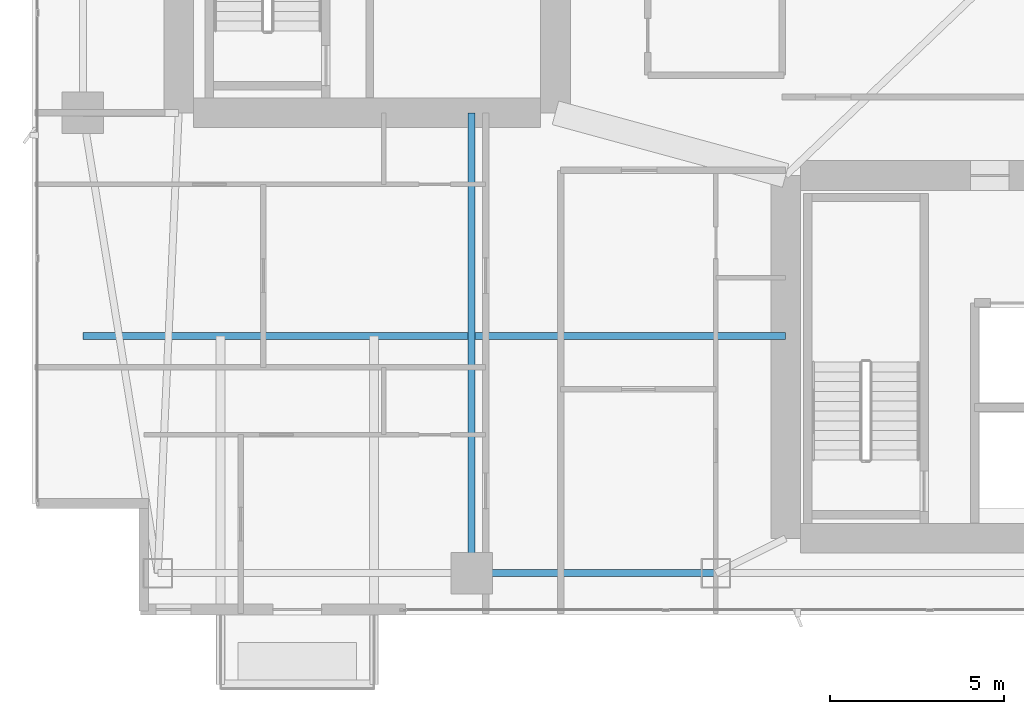
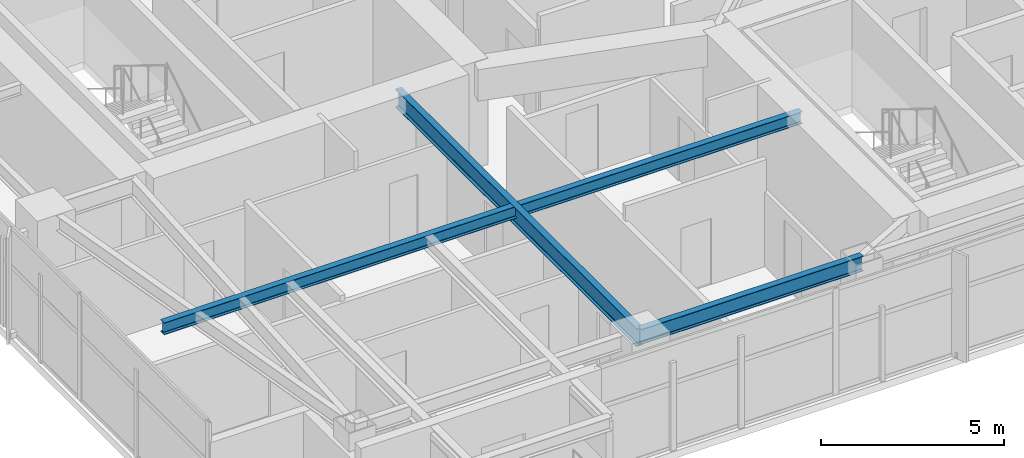
# One storey, part 5 of 28: 3 beams.
"""IFC4 building model written with IfcOpenShell, lengths in metres."""

from ifc_helpers import new_model, si_unit, direction, frame, origin, origin_2d, place, context, subcontext, project, spatial, i_section, extrude, material, material_profile, profile_set, type_object, element, save


model = new_model("IFC4")

# Units and contexts
model_context = context("Model", 3, precision=1e-05, world=origin(), true_north=direction((0.0, 1.0)))
body_context = subcontext(model_context, "Body", "Model", "MODEL_VIEW")
ifc_project = project(units=[si_unit("LENGTHUNIT", "METRE"), si_unit("AREAUNIT", "SQUARE_METRE"), si_unit("VOLUMEUNIT", "CUBIC_METRE"), si_unit("PLANEANGLEUNIT", "RADIAN"), si_unit("MASSUNIT", "GRAM", prefix="KILO")], contexts=[model_context])

# Site, building, storey
site_placement = place(None, origin())
site = spatial("IfcSite", under=ifc_project, at=site_placement, CompositionType="ELEMENT")
building_placement = place(site_placement, origin())
building = spatial("IfcBuilding", under=site, at=building_placement, Name="Calvorn Quay Hotel", CompositionType="ELEMENT")
storey_placement = place(building_placement, frame((0.0, 0.0, 159.89990234375)))
storey = spatial("IfcBuildingStorey", under=building, at=storey_placement, Name="L39", CompositionType="ELEMENT", Elevation=159.89990234375)

# Beams
ifc_material_1 = material(Name="Steel Q355B", Category="steel")
ifc_material_profile_1 = material_profile(ifc_material_1, i_section(OverallWidth=0.199951171875, OverallDepth=0.60009765625, WebThickness=0.010986328125, FlangeThickness=0.01708984375, FilletRadius=0.01806640625, at=origin_2d()), Name="HN600x200x11x17")
ifc_profile_set_1 = profile_set([ifc_material_profile_1], Name="Steel Q355B")
beam_type_1 = type_object("IfcBeamType", Name="BM-GIRD-TYP", PredefinedType="BEAM", material=ifc_profile_set_1)
beam_1_placement = place(storey_placement, frame((12.60009765625, 3.60009765625, 3.239990234375), z_axis=(0.0, 1.0, 0.0), x_axis=(-1.0, 0.0, 0.0)))
element("IfcBeam", 1, at=beam_1_placement, inside=storey, type_object=beam_type_1, Name="Beam BG-L39-S1", PredefinedType="BEAM", context=body_context, shape_type="SweptSolid", body=[
    extrude(i_section(OverallWidth=0.199951171875, OverallDepth=0.60009765625, WebThickness=0.010986328125, FlangeThickness=0.01708984375, FilletRadius=0.01806640625, at=origin_2d()), origin(), (0.0, 0.0, 1.0), 13.199951171875),
])
ifc_material_2 = material(Name="Steel Q355B", Category="steel")
ifc_material_profile_2 = material_profile(ifc_material_2, i_section(OverallWidth=0.199951171875, OverallDepth=0.39990234375, WebThickness=0.008056640625, FlangeThickness=0.012939453125, FilletRadius=0.01611328125, at=origin_2d()), Name="HN400x200x8x13")
ifc_profile_set_2 = profile_set([ifc_material_profile_2], Name="Steel Q355B")
beam_type_2 = type_object("IfcBeamType", Name="BM-JOIST-TYP", PredefinedType="JOIST", material=ifc_profile_set_2)
beam_2_placement = place(storey_placement, frame((1.449951171875, 10.39990234375, 3.340087890625), z_axis=(1.0, 0.0, 0.0), x_axis=(0.0, 1.0, 0.0)))
element("IfcBeam", 2, at=beam_2_placement, inside=storey, type_object=beam_type_2, Name="Beam BJ-L39-W1", PredefinedType="JOIST", context=body_context, shape_type="SweptSolid", body=[
    extrude(i_section(OverallWidth=0.199951171875, OverallDepth=0.39990234375, WebThickness=0.008056640625, FlangeThickness=0.012939453125, FilletRadius=0.01611328125, at=origin_2d()), origin(), (0.0, 0.0, 1.0), 20.150146484375),
])
ifc_material_3 = material(Name="Steel Q355B", Category="steel")
ifc_material_profile_3 = material_profile(ifc_material_3, i_section(OverallWidth=0.199951171875, OverallDepth=0.5, WebThickness=0.010009765625, FlangeThickness=0.01611328125, FilletRadius=0.01611328125, at=origin_2d()), Name="HN500x200x10x16")
ifc_profile_set_3 = profile_set([ifc_material_profile_3], Name="Steel Q355B")
beam_type_3 = type_object("IfcBeamType", Name="BM-SPANDREL-Z1", PredefinedType="SPANDREL", material=ifc_profile_set_3)
beam_3_placement = place(storey_placement, frame((12.60009765625, 3.60009765625, 3.2900390625), z_axis=(1.0, 0.0, 0.0), x_axis=(0.0, 1.0, 0.0)))
element("IfcBeam", 3, at=beam_3_placement, inside=storey, type_object=beam_type_3, Name="Beam BSP-L39-S2", PredefinedType="SPANDREL", context=body_context, shape_type="SweptSolid", body=[
    extrude(i_section(OverallWidth=0.199951171875, OverallDepth=0.5, WebThickness=0.010009765625, FlangeThickness=0.01611328125, FilletRadius=0.01611328125, at=origin_2d()), origin(), (0.0, 0.0, 1.0), 7.0),
])

save(model, "model.ifc")
